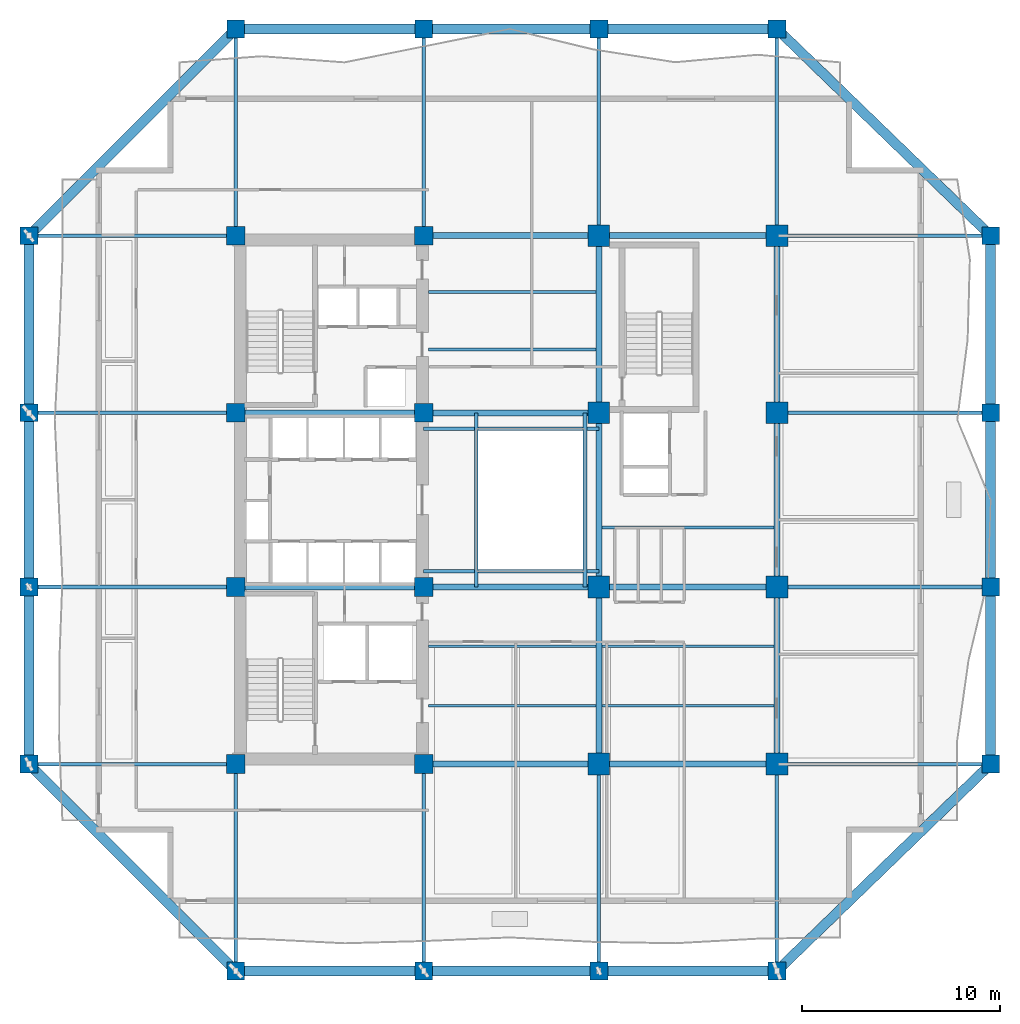
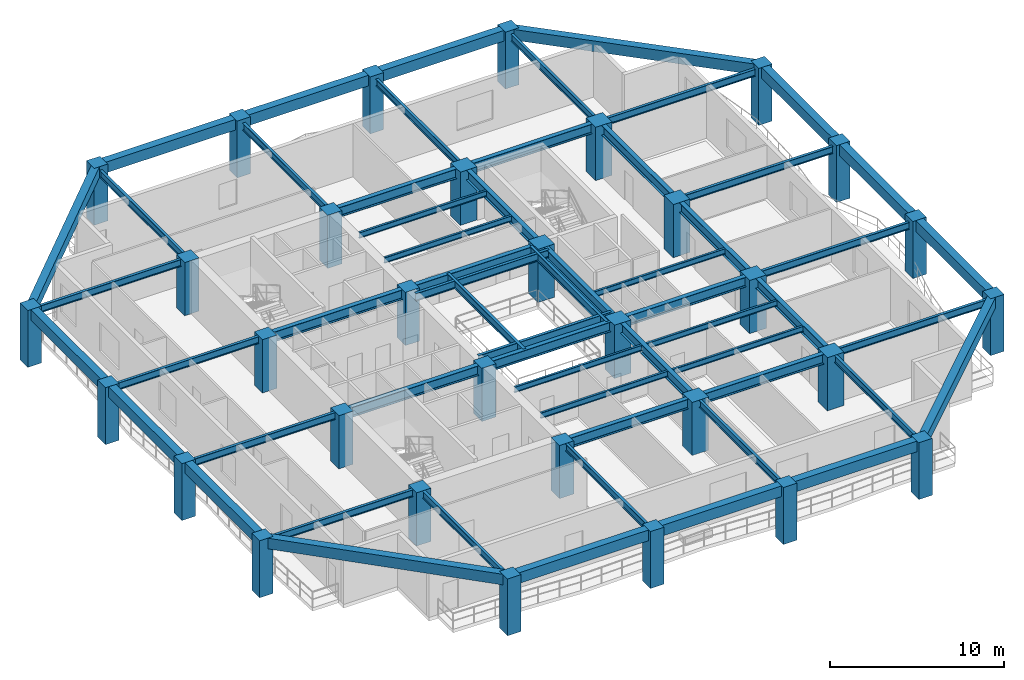
# One storey, part 1 of 11: 58 beams, 32 columns.
"""IFC4 building model written with IfcOpenShell, lengths in metres."""

from ifc_helpers import new_model, si_unit, direction, frame, origin, origin_2d, place, context, subcontext, project, spatial, rectangle, i_section, extrude, material, material_profile, profile_set, type_object, element, save


model = new_model("IFC4")

# Units and contexts
model_context = context("Model", 3, precision=1e-05, world=origin(), true_north=direction((0.0, 1.0)))
body_context = subcontext(model_context, "Body", "Model", "MODEL_VIEW")
ifc_project = project(units=[si_unit("LENGTHUNIT", "METRE"), si_unit("AREAUNIT", "SQUARE_METRE"), si_unit("VOLUMEUNIT", "CUBIC_METRE"), si_unit("PLANEANGLEUNIT", "RADIAN"), si_unit("MASSUNIT", "GRAM", prefix="KILO")], contexts=[model_context])

# Site, building, storey
site_placement = place(None, origin())
site = spatial("IfcSite", under=ifc_project, at=site_placement, CompositionType="ELEMENT")
building_placement = place(site_placement, origin())
building = spatial("IfcBuilding", under=site, at=building_placement, Name="Kundavana Baori Tower", CompositionType="ELEMENT")
storey_placement = place(building_placement, frame((0.0, 0.0, 86.0)))
storey = spatial("IfcBuildingStorey", under=building, at=storey_placement, Name="L20", CompositionType="ELEMENT", Elevation=86.0)

# Columns
ifc_material_1 = material(Name="Concrete C60/75", Category="concrete")
ifc_material_profile_1 = material_profile(ifc_material_1, rectangle(XDim=0.89990234375, YDim=0.89990234375, at=origin_2d()), Name="RC PF 900x900")
ifc_profile_set_1 = profile_set([ifc_material_profile_1], Name="Concrete C60/75")
column_type_1 = type_object("IfcColumnType", Name="COL-PF-900", PredefinedType="COLUMN", material=ifc_profile_set_1)
for number, where, z_axis, x_axis, name in (
    (1, (15.449951171875, 4.800048828125, 0.0), (0.0, 0.0, 1.0), (1.0, 0.0, 0.0), "L20 Stone-Clad Perimeter Frame Column PF-S1"),
    (2, (15.449951171875, 52.39990234375, 0.0), (0.0, 0.0, 1.0), (1.0, 0.0, 0.0), "L20 Stone-Clad Perimeter Frame Column PF-N1"),
    (3, (24.949951171875, 4.800048828125, 0.0), (0.0, 0.0, 1.0), (1.0, 0.0, 0.0), "L20 Stone-Clad Perimeter Frame Column PF-S2"),
    (4, (24.949951171875, 52.39990234375, 0.0), (0.0, 0.0, 1.0), (1.0, 0.0, 0.0), "L20 Stone-Clad Perimeter Frame Column PF-N2"),
    (5, (33.800048828125, 4.800048828125, 0.0), (0.0, 0.0, 1.0), (1.0, 0.0, 0.0), "L20 Stone-Clad Perimeter Frame Column PF-S3"),
    (6, (33.800048828125, 52.39990234375, 0.0), (0.0, 0.0, 1.0), (1.0, 0.0, 0.0), "L20 Stone-Clad Perimeter Frame Column PF-N3"),
    (7, (42.800048828125, 4.800048828125, 0.0), (0.0, 0.0, 1.0), (1.0, 0.0, 0.0), "L20 Stone-Clad Perimeter Frame Column PF-S4"),
    (8, (42.800048828125, 52.39990234375, 0.0), (0.0, 0.0, 1.0), (1.0, 0.0, 0.0), "L20 Stone-Clad Perimeter Frame Column PF-N4"),
    (9, (5.0, 15.25, 0.0), (0.0, 0.0, 1.0), (1.0, 0.0, 0.0), "L20 Stone-Clad Perimeter Frame Column PF-W1"),
    (10, (53.60009765625, 15.25, 0.0), (0.0, 0.0, 1.0), (1.0, 0.0, 0.0), "L20 Stone-Clad Perimeter Frame Column PF-E1"),
    (11, (5.0, 24.199951171875, 0.0), (0.0, 0.0, 1.0), (1.0, 0.0, 0.0), "L20 Stone-Clad Perimeter Frame Column PF-W2"),
    (12, (53.60009765625, 24.199951171875, 0.0), (0.0, 0.0, 1.0), (1.0, 0.0, 0.0), "L20 Stone-Clad Perimeter Frame Column PF-E2"),
    (13, (5.0, 33.0, 0.0), (0.0, 0.0, 1.0), (1.0, 0.0, 0.0), "L20 Stone-Clad Perimeter Frame Column PF-W3"),
    (14, (53.60009765625, 33.0, 0.0), (0.0, 0.0, 1.0), (1.0, 0.0, 0.0), "L20 Stone-Clad Perimeter Frame Column PF-E3"),
    (15, (5.0, 41.949951171875, 0.0), (0.0, 0.0, 1.0), (1.0, 0.0, 0.0), "L20 Stone-Clad Perimeter Frame Column PF-W4"),
    (16, (53.60009765625, 41.949951171875, 0.0), (0.0, 0.0, 1.0), (1.0, 0.0, 0.0), "L20 Stone-Clad Perimeter Frame Column PF-E4"),
):
    element("IfcColumn", number, at=place(storey_placement, frame(where, z_axis=z_axis, x_axis=x_axis)), inside=storey, type_object=column_type_1, Name=name, PredefinedType="COLUMN", context=body_context, shape_type="SweptSolid", body=[
        extrude(rectangle(XDim=0.89990234375, YDim=0.89990234375, at=origin_2d()), origin(), (0.0, 0.0, 1.0), 4.0),
    ])
ifc_material_2 = material(Name="Concrete C60/75", Category="concrete")
ifc_material_profile_2 = material_profile(ifc_material_2, rectangle(XDim=1.10009765625, YDim=1.10009765625, at=origin_2d()), Name="RC 1100x1100")
ifc_profile_set_2 = profile_set([ifc_material_profile_2], Name="Concrete C60/75")
column_type_2 = type_object("IfcColumnType", Name="COL-RC-1100", PredefinedType="COLUMN", material=ifc_profile_set_2)
for number, where, z_axis, x_axis, name in (
    (17, (33.800048828125, 15.25, 0.0), (0.0, 0.0, 1.0), (1.0, 0.0, 0.0), "L20 Interior Column IC-5C"),
    (18, (33.800048828125, 24.199951171875, 0.0), (0.0, 0.0, 1.0), (1.0, 0.0, 0.0), "L20 Interior Column IC-5D"),
    (19, (33.800048828125, 33.0, 0.0), (0.0, 0.0, 1.0), (1.0, 0.0, 0.0), "L20 Interior Column IC-5E"),
    (20, (33.800048828125, 41.949951171875, 0.0), (0.0, 0.0, 1.0), (1.0, 0.0, 0.0), "L20 Interior Column IC-5F"),
    (21, (42.800048828125, 15.25, 0.0), (0.0, 0.0, 1.0), (1.0, 0.0, 0.0), "L20 Interior Column IC-6C"),
    (22, (42.800048828125, 24.199951171875, 0.0), (0.0, 0.0, 1.0), (1.0, 0.0, 0.0), "L20 Interior Column IC-6D"),
    (23, (42.800048828125, 33.0, 0.0), (0.0, 0.0, 1.0), (1.0, 0.0, 0.0), "L20 Interior Column IC-6E"),
    (24, (42.800048828125, 41.949951171875, 0.0), (0.0, 0.0, 1.0), (1.0, 0.0, 0.0), "L20 Interior Column IC-6F"),
):
    element("IfcColumn", number, at=place(storey_placement, frame(where, z_axis=z_axis, x_axis=x_axis)), inside=storey, type_object=column_type_2, Name=name, PredefinedType="COLUMN", context=body_context, shape_type="SweptSolid", body=[
        extrude(rectangle(XDim=1.10009765625, YDim=1.10009765625, at=origin_2d()), origin(), (0.0, 0.0, 1.0), 3.739990234375),
    ])
ifc_material_3 = material(Name="Concrete C50/60", Category="concrete")
ifc_material_profile_3 = material_profile(ifc_material_3, rectangle(XDim=0.949951171875, YDim=0.949951171875, at=origin_2d()), Name="RC 950x950")
ifc_profile_set_3 = profile_set([ifc_material_profile_3], Name="Concrete C50/60")
column_type_3 = type_object("IfcColumnType", Name="COL-RC-950", PredefinedType="COLUMN", material=ifc_profile_set_3)
for number, where, z_axis, x_axis, name in (
    (25, (15.449951171875, 15.25, 0.0), (0.0, 0.0, 1.0), (1.0, 0.0, 0.0), "L20 Interior Column IC-3C"),
    (26, (15.449951171875, 24.199951171875, 0.0), (0.0, 0.0, 1.0), (1.0, 0.0, 0.0), "L20 Interior Column IC-3D"),
    (27, (15.449951171875, 33.0, 0.0), (0.0, 0.0, 1.0), (1.0, 0.0, 0.0), "L20 Interior Column IC-3E"),
    (28, (15.449951171875, 41.949951171875, 0.0), (0.0, 0.0, 1.0), (1.0, 0.0, 0.0), "L20 Interior Column IC-3F"),
    (29, (24.949951171875, 15.25, 0.0), (0.0, 0.0, 1.0), (1.0, 0.0, 0.0), "L20 Interior Column IC-4C"),
    (30, (24.949951171875, 24.199951171875, 0.0), (0.0, 0.0, 1.0), (1.0, 0.0, 0.0), "L20 Interior Column IC-4D"),
    (31, (24.949951171875, 33.0, 0.0), (0.0, 0.0, 1.0), (1.0, 0.0, 0.0), "L20 Interior Column IC-4E"),
    (32, (24.949951171875, 41.949951171875, 0.0), (0.0, 0.0, 1.0), (1.0, 0.0, 0.0), "L20 Interior Column IC-4F"),
):
    element("IfcColumn", number, at=place(storey_placement, frame(where, z_axis=z_axis, x_axis=x_axis)), inside=storey, type_object=column_type_3, Name=name, PredefinedType="COLUMN", context=body_context, shape_type="SweptSolid", body=[
        extrude(rectangle(XDim=0.949951171875, YDim=0.949951171875, at=origin_2d()), origin(), (0.0, 0.0, 1.0), 3.739990234375),
    ])

# Beams
ifc_material_4 = material(Name="Structural Steel S355JR", Category="steel")
ifc_material_profile_4 = material_profile(ifc_material_4, i_section(OverallWidth=0.139892578125, OverallDepth=0.39990234375, WebThickness=0.0087890625, FlangeThickness=0.01611328125, FilletRadius=0.013916015625, at=origin_2d()), Name="ISMB 400")
ifc_profile_set_4 = profile_set([ifc_material_profile_4], Name="Structural Steel S355JR")
beam_type_1 = type_object("IfcBeamType", Name="BM-JST-400", PredefinedType="JOIST", material=ifc_profile_set_4)
for number, where, z_axis, x_axis, name in (
    (33, (25.179931640625, 18.199951171875, 3.5400390625), (1.0, 0.0, 0.0), (0.0, 1.0, 0.0), "L20 Central Bay Composite Floor Joist C1"),
    (34, (25.179931640625, 21.199951171875, 3.5400390625), (1.0, 0.0, 0.0), (0.0, 1.0, 0.0), "L20 Central Bay Composite Floor Joist C2"),
    (35, (25.179931640625, 36.199951171875, 3.5400390625), (1.0, 0.0, 0.0), (0.0, 1.0, 0.0), "L20 Central Bay Composite Floor Joist C3"),
    (36, (25.179931640625, 39.10009765625, 3.5400390625), (1.0, 0.0, 0.0), (0.0, 1.0, 0.0), "L20 Central Bay Composite Floor Joist C4"),
):
    element("IfcBeam", number, at=place(storey_placement, frame(where, z_axis=z_axis, x_axis=x_axis)), inside=storey, type_object=beam_type_1, Name=name, PredefinedType="JOIST", context=body_context, shape_type="SweptSolid", body=[
        extrude(i_section(OverallWidth=0.139892578125, OverallDepth=0.39990234375, WebThickness=0.0087890625, FlangeThickness=0.01611328125, FilletRadius=0.013916015625, at=origin_2d()), origin(), (0.0, 0.0, 1.0), 8.469970703125),
    ])
for number, where, z_axis, x_axis, name in (
    (37, (33.949951171875, 18.199951171875, 3.5400390625), (1.0, 0.0, 0.0), (0.0, 1.0, 0.0), "L20 East Bay Composite Floor Joist E1"),
    (38, (33.949951171875, 21.199951171875, 3.5400390625), (1.0, 0.0, 0.0), (0.0, 1.0, 0.0), "L20 East Bay Composite Floor Joist E2"),
    (39, (33.949951171875, 27.199951171875, 3.5400390625), (1.0, 0.0, 0.0), (0.0, 1.0, 0.0), "L20 East Bay Composite Floor Joist E3"),
):
    element("IfcBeam", number, at=place(storey_placement, frame(where, z_axis=z_axis, x_axis=x_axis)), inside=storey, type_object=beam_type_1, Name=name, PredefinedType="JOIST", context=body_context, shape_type="SweptSolid", body=[
        extrude(i_section(OverallWidth=0.139892578125, OverallDepth=0.39990234375, WebThickness=0.0087890625, FlangeThickness=0.01611328125, FilletRadius=0.013916015625, at=origin_2d()), origin(), (0.0, 0.0, 1.0), 8.699951171875),
    ])
ifc_material_5 = material(Name="Concrete C50/60", Category="concrete")
ifc_material_profile_5 = material_profile(ifc_material_5, rectangle(XDim=0.5, YDim=0.75, at=origin_2d()), Name="RC BM 500x750")
ifc_profile_set_5 = profile_set([ifc_material_profile_5], Name="Concrete C50/60")
beam_type_2 = type_object("IfcBeamType", Name="BM-PF-750", PredefinedType="SPANDREL", material=ifc_profile_set_5)
beam_1_placement = place(storey_placement, frame((15.449951171875, 4.800048828125, 3.625), z_axis=(1.0, 0.0, 0.0), x_axis=(0.0, 1.0, 0.0)))
element("IfcBeam", 40, at=beam_1_placement, inside=storey, type_object=beam_type_2, Name="L20 Perimeter Frame Ring Beam S1", PredefinedType="SPANDREL", context=body_context, shape_type="SweptSolid", body=[
    extrude(rectangle(XDim=0.5, YDim=0.75, at=origin_2d()), origin(), (0.0, 0.0, 1.0), 9.5),
])
beam_2_placement = place(storey_placement, frame((24.949951171875, 4.800048828125, 3.625), z_axis=(1.0, 0.0, 0.0), x_axis=(0.0, 1.0, 0.0)))
element("IfcBeam", 41, at=beam_2_placement, inside=storey, type_object=beam_type_2, Name="L20 Perimeter Frame Ring Beam S2", PredefinedType="SPANDREL", context=body_context, shape_type="SweptSolid", body=[
    extrude(rectangle(XDim=0.5, YDim=0.75, at=origin_2d()), origin(), (0.0, 0.0, 1.0), 8.85009765625),
])
beam_3_placement = place(storey_placement, frame((33.800048828125, 4.800048828125, 3.625), z_axis=(1.0, 0.0, 0.0), x_axis=(0.0, 1.0, 0.0)))
element("IfcBeam", 42, at=beam_3_placement, inside=storey, type_object=beam_type_2, Name="L20 Perimeter Frame Ring Beam S3", PredefinedType="SPANDREL", context=body_context, shape_type="SweptSolid", body=[
    extrude(rectangle(XDim=0.5, YDim=0.75, at=origin_2d()), origin(), (0.0, 0.0, 1.0), 9.0),
])
beam_4_placement = place(storey_placement, frame((15.449951171875, 52.39990234375, 3.625), z_axis=(1.0, 0.0, 0.0), x_axis=(0.0, 1.0, 0.0)))
element("IfcBeam", 43, at=beam_4_placement, inside=storey, type_object=beam_type_2, Name="L20 Perimeter Frame Ring Beam N1", PredefinedType="SPANDREL", context=body_context, shape_type="SweptSolid", body=[
    extrude(rectangle(XDim=0.5, YDim=0.75, at=origin_2d()), origin(), (0.0, 0.0, 1.0), 9.5),
])
beam_5_placement = place(storey_placement, frame((24.949951171875, 52.39990234375, 3.625), z_axis=(1.0, 0.0, 0.0), x_axis=(0.0, 1.0, 0.0)))
element("IfcBeam", 44, at=beam_5_placement, inside=storey, type_object=beam_type_2, Name="L20 Perimeter Frame Ring Beam N2", PredefinedType="SPANDREL", context=body_context, shape_type="SweptSolid", body=[
    extrude(rectangle(XDim=0.5, YDim=0.75, at=origin_2d()), origin(), (0.0, 0.0, 1.0), 8.85009765625),
])
beam_6_placement = place(storey_placement, frame((33.800048828125, 52.39990234375, 3.625), z_axis=(1.0, 0.0, 0.0), x_axis=(0.0, 1.0, 0.0)))
element("IfcBeam", 45, at=beam_6_placement, inside=storey, type_object=beam_type_2, Name="L20 Perimeter Frame Ring Beam N3", PredefinedType="SPANDREL", context=body_context, shape_type="SweptSolid", body=[
    extrude(rectangle(XDim=0.5, YDim=0.75, at=origin_2d()), origin(), (0.0, 0.0, 1.0), 9.0),
])
beam_7_placement = place(storey_placement, frame((5.0, 15.25, 3.625), z_axis=(0.0, 1.0, 0.0), x_axis=(-1.0, 0.0, 0.0)))
element("IfcBeam", 46, at=beam_7_placement, inside=storey, type_object=beam_type_2, Name="L20 Perimeter Frame Ring Beam W1", PredefinedType="SPANDREL", context=body_context, shape_type="SweptSolid", body=[
    extrude(rectangle(XDim=0.5, YDim=0.75, at=origin_2d()), origin(), (0.0, 0.0, 1.0), 8.949951171875),
])
beam_8_placement = place(storey_placement, frame((5.0, 24.199951171875, 3.625), z_axis=(0.0, 1.0, 0.0), x_axis=(-1.0, 0.0, 0.0)))
element("IfcBeam", 47, at=beam_8_placement, inside=storey, type_object=beam_type_2, Name="L20 Perimeter Frame Ring Beam W2", PredefinedType="SPANDREL", context=body_context, shape_type="SweptSolid", body=[
    extrude(rectangle(XDim=0.5, YDim=0.75, at=origin_2d()), origin(), (0.0, 0.0, 1.0), 8.800048828125),
])
for number, where, z_axis, x_axis, name in (
    (48, (5.0, 33.0, 3.625), (0.0, 1.0, 0.0), (-1.0, 0.0, 0.0), "L20 Perimeter Frame Ring Beam W3"),
    (49, (53.60009765625, 15.25, 3.625), (0.0, 1.0, 0.0), (-1.0, 0.0, 0.0), "L20 Perimeter Frame Ring Beam E1"),
):
    element("IfcBeam", number, at=place(storey_placement, frame(where, z_axis=z_axis, x_axis=x_axis)), inside=storey, type_object=beam_type_2, Name=name, PredefinedType="SPANDREL", context=body_context, shape_type="SweptSolid", body=[
        extrude(rectangle(XDim=0.5, YDim=0.75, at=origin_2d()), origin(), (0.0, 0.0, 1.0), 8.949951171875),
    ])
beam_9_placement = place(storey_placement, frame((53.60009765625, 24.199951171875, 3.625), z_axis=(0.0, 1.0, 0.0), x_axis=(-1.0, 0.0, 0.0)))
element("IfcBeam", 50, at=beam_9_placement, inside=storey, type_object=beam_type_2, Name="L20 Perimeter Frame Ring Beam E2", PredefinedType="SPANDREL", context=body_context, shape_type="SweptSolid", body=[
    extrude(rectangle(XDim=0.5, YDim=0.75, at=origin_2d()), origin(), (0.0, 0.0, 1.0), 8.800048828125),
])
beam_10_placement = place(storey_placement, frame((53.60009765625, 33.0, 3.625), z_axis=(0.0, 1.0, 0.0), x_axis=(-1.0, 0.0, 0.0)))
element("IfcBeam", 51, at=beam_10_placement, inside=storey, type_object=beam_type_2, Name="L20 Perimeter Frame Ring Beam E3", PredefinedType="SPANDREL", context=body_context, shape_type="SweptSolid", body=[
    extrude(rectangle(XDim=0.5, YDim=0.75, at=origin_2d()), origin(), (0.0, 0.0, 1.0), 8.949951171875),
])
beam_11_placement = place(storey_placement, frame((15.449951171875, 4.800048828125, 3.625), z_axis=(-0.707106781187, 0.707106781187, 0.0), x_axis=(-0.707106781187, -0.707106781187, 0.0)))
element("IfcBeam", 52, at=beam_11_placement, inside=storey, type_object=beam_type_2, Name="L20 Notched Corner Perimeter Beam SW", PredefinedType="SPANDREL", context=body_context, shape_type="SweptSolid", body=[
    extrude(rectangle(XDim=0.5, YDim=0.75, at=origin_2d()), origin(), (0.0, 0.0, 1.0), 14.778564453125),
])
beam_12_placement = place(storey_placement, frame((42.800048828125, 4.800048828125, 3.625), z_axis=(0.718658968601, 0.695362701653, 0.0), x_axis=(-0.695362701653, 0.718658968601, 0.0)))
element("IfcBeam", 53, at=beam_12_placement, inside=storey, type_object=beam_type_2, Name="L20 Notched Corner Perimeter Beam SE", PredefinedType="SPANDREL", context=body_context, shape_type="SweptSolid", body=[
    extrude(rectangle(XDim=0.5, YDim=0.75, at=origin_2d()), origin(), (0.0, 0.0, 1.0), 15.028076171875),
])
beam_13_placement = place(storey_placement, frame((15.449951171875, 52.39990234375, 3.625), z_axis=(-0.707106781187, -0.707106781187, 0.0), x_axis=(0.707106781187, -0.707106781187, 0.0)))
element("IfcBeam", 54, at=beam_13_placement, inside=storey, type_object=beam_type_2, Name="L20 Notched Corner Perimeter Beam NW", PredefinedType="SPANDREL", context=body_context, shape_type="SweptSolid", body=[
    extrude(rectangle(XDim=0.5, YDim=0.75, at=origin_2d()), origin(), (0.0, 0.0, 1.0), 14.778564453125),
])
beam_14_placement = place(storey_placement, frame((42.800048828125, 52.39990234375, 3.625), z_axis=(0.718658968601, -0.695362701653, 0.0), x_axis=(0.695362701653, 0.718658968601, 0.0)))
element("IfcBeam", 55, at=beam_14_placement, inside=storey, type_object=beam_type_2, Name="L20 Notched Corner Perimeter Beam NE", PredefinedType="SPANDREL", context=body_context, shape_type="SweptSolid", body=[
    extrude(rectangle(XDim=0.5, YDim=0.75, at=origin_2d()), origin(), (0.0, 0.0, 1.0), 15.028076171875),
])
ifc_material_6 = material(Name="Structural Steel S355JR", Category="steel")
ifc_material_profile_6 = material_profile(ifc_material_6, i_section(OverallWidth=0.18994140625, OverallDepth=0.550048828125, WebThickness=0.01123046875, FlangeThickness=0.019287109375, FilletRadius=0.01806640625, at=origin_2d()), Name="ISMB 550")
ifc_profile_set_6 = profile_set([ifc_material_profile_6], Name="Structural Steel S355JR")
beam_type_3 = type_object("IfcBeamType", Name="BM-ST-550", PredefinedType="BEAM", material=ifc_profile_set_6)
for number, where, z_axis, x_axis, name in (
    (56, (27.60009765625, 24.199951171875, 3.465087890625), (0.0, 1.0, 0.0), (-1.0, 0.0, 0.0), "L20 Atrium West Edge Beam"),
    (57, (33.10009765625, 24.199951171875, 3.465087890625), (0.0, 1.0, 0.0), (-1.0, 0.0, 0.0), "L20 Atrium East Edge Beam"),
):
    element("IfcBeam", number, at=place(storey_placement, frame(where, z_axis=z_axis, x_axis=x_axis)), inside=storey, type_object=beam_type_3, Name=name, PredefinedType="BEAM", context=body_context, shape_type="SweptSolid", body=[
        extrude(i_section(OverallWidth=0.18994140625, OverallDepth=0.550048828125, WebThickness=0.01123046875, FlangeThickness=0.019287109375, FilletRadius=0.01806640625, at=origin_2d()), origin(), (0.0, 0.0, 1.0), 8.800048828125),
    ])
for number, where, z_axis, x_axis, name in (
    (58, (24.949951171875, 25.0, 3.465087890625), (1.0, 0.0, 0.0), (0.0, 1.0, 0.0), "L20 Atrium South Edge Beam"),
    (59, (24.949951171875, 32.199951171875, 3.465087890625), (1.0, 0.0, 0.0), (0.0, 1.0, 0.0), "L20 Atrium North Edge Beam"),
):
    element("IfcBeam", number, at=place(storey_placement, frame(where, z_axis=z_axis, x_axis=x_axis)), inside=storey, type_object=beam_type_3, Name=name, PredefinedType="BEAM", context=body_context, shape_type="SweptSolid", body=[
        extrude(i_section(OverallWidth=0.18994140625, OverallDepth=0.550048828125, WebThickness=0.01123046875, FlangeThickness=0.019287109375, FilletRadius=0.01806640625, at=origin_2d()), origin(), (0.0, 0.0, 1.0), 8.85009765625),
    ])
ifc_material_7 = material(Name="Structural Steel S355JR", Category="steel")
ifc_material_profile_7 = material_profile(ifc_material_7, i_section(OverallWidth=0.300048828125, OverallDepth=0.699951171875, WebThickness=0.014404296875, FlangeThickness=0.02392578125, FilletRadius=0.02392578125, at=origin_2d()), Name="NPB 700x300x170")
ifc_profile_set_7 = profile_set([ifc_material_profile_7], Name="Structural Steel S355JR")
beam_type_4 = type_object("IfcBeamType", Name="BM-ST-700", PredefinedType="BEAM", material=ifc_profile_set_7)
beam_15_placement = place(storey_placement, frame((24.949951171875, 15.25, 3.389892578125), z_axis=(1.0, 0.0, 0.0), x_axis=(0.0, 1.0, 0.0)))
element("IfcBeam", 60, at=beam_15_placement, inside=storey, type_object=beam_type_4, Name="L20 Primary Grid Girder GX-1-2", PredefinedType="BEAM", context=body_context, shape_type="SweptSolid", body=[
    extrude(i_section(OverallWidth=0.300048828125, OverallDepth=0.699951171875, WebThickness=0.014404296875, FlangeThickness=0.02392578125, FilletRadius=0.02392578125, at=origin_2d()), origin(), (0.0, 0.0, 1.0), 8.85009765625),
])
beam_16_placement = place(storey_placement, frame((33.800048828125, 15.25, 3.389892578125), z_axis=(1.0, 0.0, 0.0), x_axis=(0.0, 1.0, 0.0)))
element("IfcBeam", 61, at=beam_16_placement, inside=storey, type_object=beam_type_4, Name="L20 Primary Grid Girder GX-1-3", PredefinedType="BEAM", context=body_context, shape_type="SweptSolid", body=[
    extrude(i_section(OverallWidth=0.300048828125, OverallDepth=0.699951171875, WebThickness=0.014404296875, FlangeThickness=0.02392578125, FilletRadius=0.02392578125, at=origin_2d()), origin(), (0.0, 0.0, 1.0), 9.0),
])
beam_17_placement = place(storey_placement, frame((15.449951171875, 24.199951171875, 3.389892578125), z_axis=(1.0, 0.0, 0.0), x_axis=(0.0, 1.0, 0.0)))
element("IfcBeam", 62, at=beam_17_placement, inside=storey, type_object=beam_type_4, Name="L20 Primary Grid Girder GX-2-1", PredefinedType="BEAM", context=body_context, shape_type="SweptSolid", body=[
    extrude(i_section(OverallWidth=0.300048828125, OverallDepth=0.699951171875, WebThickness=0.014404296875, FlangeThickness=0.02392578125, FilletRadius=0.02392578125, at=origin_2d()), origin(), (0.0, 0.0, 1.0), 9.5),
])
beam_18_placement = place(storey_placement, frame((24.949951171875, 24.199951171875, 3.389892578125), z_axis=(1.0, 0.0, 0.0), x_axis=(0.0, 1.0, 0.0)))
element("IfcBeam", 63, at=beam_18_placement, inside=storey, type_object=beam_type_4, Name="L20 Primary Grid Girder GX-2-2", PredefinedType="BEAM", context=body_context, shape_type="SweptSolid", body=[
    extrude(i_section(OverallWidth=0.300048828125, OverallDepth=0.699951171875, WebThickness=0.014404296875, FlangeThickness=0.02392578125, FilletRadius=0.02392578125, at=origin_2d()), origin(), (0.0, 0.0, 1.0), 8.85009765625),
])
beam_19_placement = place(storey_placement, frame((33.800048828125, 24.199951171875, 3.389892578125), z_axis=(1.0, 0.0, 0.0), x_axis=(0.0, 1.0, 0.0)))
element("IfcBeam", 64, at=beam_19_placement, inside=storey, type_object=beam_type_4, Name="L20 Primary Grid Girder GX-2-3", PredefinedType="BEAM", context=body_context, shape_type="SweptSolid", body=[
    extrude(i_section(OverallWidth=0.300048828125, OverallDepth=0.699951171875, WebThickness=0.014404296875, FlangeThickness=0.02392578125, FilletRadius=0.02392578125, at=origin_2d()), origin(), (0.0, 0.0, 1.0), 9.0),
])
beam_20_placement = place(storey_placement, frame((15.449951171875, 33.0, 3.389892578125), z_axis=(1.0, 0.0, 0.0), x_axis=(0.0, 1.0, 0.0)))
element("IfcBeam", 65, at=beam_20_placement, inside=storey, type_object=beam_type_4, Name="L20 Primary Grid Girder GX-3-1", PredefinedType="BEAM", context=body_context, shape_type="SweptSolid", body=[
    extrude(i_section(OverallWidth=0.300048828125, OverallDepth=0.699951171875, WebThickness=0.014404296875, FlangeThickness=0.02392578125, FilletRadius=0.02392578125, at=origin_2d()), origin(), (0.0, 0.0, 1.0), 9.5),
])
for number, where, z_axis, x_axis, name in (
    (66, (24.949951171875, 33.0, 3.389892578125), (1.0, 0.0, 0.0), (0.0, 1.0, 0.0), "L20 Primary Grid Girder GX-3-2"),
    (67, (24.949951171875, 41.949951171875, 3.389892578125), (1.0, 0.0, 0.0), (0.0, 1.0, 0.0), "L20 Primary Grid Girder GX-4-2"),
):
    element("IfcBeam", number, at=place(storey_placement, frame(where, z_axis=z_axis, x_axis=x_axis)), inside=storey, type_object=beam_type_4, Name=name, PredefinedType="BEAM", context=body_context, shape_type="SweptSolid", body=[
        extrude(i_section(OverallWidth=0.300048828125, OverallDepth=0.699951171875, WebThickness=0.014404296875, FlangeThickness=0.02392578125, FilletRadius=0.02392578125, at=origin_2d()), origin(), (0.0, 0.0, 1.0), 8.85009765625),
    ])
beam_21_placement = place(storey_placement, frame((33.800048828125, 41.949951171875, 3.389892578125), z_axis=(1.0, 0.0, 0.0), x_axis=(0.0, 1.0, 0.0)))
element("IfcBeam", 68, at=beam_21_placement, inside=storey, type_object=beam_type_4, Name="L20 Primary Grid Girder GX-4-3", PredefinedType="BEAM", context=body_context, shape_type="SweptSolid", body=[
    extrude(i_section(OverallWidth=0.300048828125, OverallDepth=0.699951171875, WebThickness=0.014404296875, FlangeThickness=0.02392578125, FilletRadius=0.02392578125, at=origin_2d()), origin(), (0.0, 0.0, 1.0), 9.0),
])
beam_22_placement = place(storey_placement, frame((33.800048828125, 15.25, 3.389892578125), z_axis=(0.0, 1.0, 0.0), x_axis=(-1.0, 0.0, 0.0)))
element("IfcBeam", 69, at=beam_22_placement, inside=storey, type_object=beam_type_4, Name="L20 Primary Grid Girder GY-3-1", PredefinedType="BEAM", context=body_context, shape_type="SweptSolid", body=[
    extrude(i_section(OverallWidth=0.300048828125, OverallDepth=0.699951171875, WebThickness=0.014404296875, FlangeThickness=0.02392578125, FilletRadius=0.02392578125, at=origin_2d()), origin(), (0.0, 0.0, 1.0), 8.949951171875),
])
beam_23_placement = place(storey_placement, frame((33.800048828125, 24.199951171875, 3.389892578125), z_axis=(0.0, 1.0, 0.0), x_axis=(-1.0, 0.0, 0.0)))
element("IfcBeam", 70, at=beam_23_placement, inside=storey, type_object=beam_type_4, Name="L20 Primary Grid Girder GY-3-2", PredefinedType="BEAM", context=body_context, shape_type="SweptSolid", body=[
    extrude(i_section(OverallWidth=0.300048828125, OverallDepth=0.699951171875, WebThickness=0.014404296875, FlangeThickness=0.02392578125, FilletRadius=0.02392578125, at=origin_2d()), origin(), (0.0, 0.0, 1.0), 8.800048828125),
])
for number, where, z_axis, x_axis, name in (
    (71, (33.800048828125, 33.0, 3.389892578125), (0.0, 1.0, 0.0), (-1.0, 0.0, 0.0), "L20 Primary Grid Girder GY-3-3"),
    (72, (42.800048828125, 15.25, 3.389892578125), (0.0, 1.0, 0.0), (-1.0, 0.0, 0.0), "L20 Primary Grid Girder GY-4-1"),
):
    element("IfcBeam", number, at=place(storey_placement, frame(where, z_axis=z_axis, x_axis=x_axis)), inside=storey, type_object=beam_type_4, Name=name, PredefinedType="BEAM", context=body_context, shape_type="SweptSolid", body=[
        extrude(i_section(OverallWidth=0.300048828125, OverallDepth=0.699951171875, WebThickness=0.014404296875, FlangeThickness=0.02392578125, FilletRadius=0.02392578125, at=origin_2d()), origin(), (0.0, 0.0, 1.0), 8.949951171875),
    ])
beam_24_placement = place(storey_placement, frame((42.800048828125, 24.199951171875, 3.389892578125), z_axis=(0.0, 1.0, 0.0), x_axis=(-1.0, 0.0, 0.0)))
element("IfcBeam", 73, at=beam_24_placement, inside=storey, type_object=beam_type_4, Name="L20 Primary Grid Girder GY-4-2", PredefinedType="BEAM", context=body_context, shape_type="SweptSolid", body=[
    extrude(i_section(OverallWidth=0.300048828125, OverallDepth=0.699951171875, WebThickness=0.014404296875, FlangeThickness=0.02392578125, FilletRadius=0.02392578125, at=origin_2d()), origin(), (0.0, 0.0, 1.0), 8.800048828125),
])
beam_25_placement = place(storey_placement, frame((42.800048828125, 33.0, 3.389892578125), z_axis=(0.0, 1.0, 0.0), x_axis=(-1.0, 0.0, 0.0)))
element("IfcBeam", 74, at=beam_25_placement, inside=storey, type_object=beam_type_4, Name="L20 Primary Grid Girder GY-4-3", PredefinedType="BEAM", context=body_context, shape_type="SweptSolid", body=[
    extrude(i_section(OverallWidth=0.300048828125, OverallDepth=0.699951171875, WebThickness=0.014404296875, FlangeThickness=0.02392578125, FilletRadius=0.02392578125, at=origin_2d()), origin(), (0.0, 0.0, 1.0), 8.949951171875),
])
ifc_material_8 = material(Name="Structural Steel S355JR", Category="steel")
ifc_material_profile_8 = material_profile(ifc_material_8, i_section(OverallWidth=0.179931640625, OverallDepth=0.5, WebThickness=0.01025390625, FlangeThickness=0.01708984375, FilletRadius=0.01708984375, at=origin_2d()), Name="ISMB 500")
ifc_profile_set_8 = profile_set([ifc_material_profile_8], Name="Structural Steel S355JR")
beam_type_5 = type_object("IfcBeamType", Name="BM-TIE-500", PredefinedType="BEAM", material=ifc_profile_set_8)
for number, where, z_axis, x_axis, name in (
    (75, (15.449951171875, 15.25, 3.489990234375), (0.0, -1.0, 0.0), (1.0, 0.0, 0.0), "L20 South Radial Loggia Tie Beam S1"),
    (76, (15.449951171875, 41.949951171875, 3.489990234375), (0.0, 1.0, 0.0), (-1.0, 0.0, 0.0), "L20 North Radial Loggia Tie Beam N1"),
    (77, (24.949951171875, 15.25, 3.489990234375), (0.0, -1.0, 0.0), (1.0, 0.0, 0.0), "L20 South Radial Loggia Tie Beam S2"),
    (78, (24.949951171875, 41.949951171875, 3.489990234375), (0.0, 1.0, 0.0), (-1.0, 0.0, 0.0), "L20 North Radial Loggia Tie Beam N2"),
    (79, (33.800048828125, 15.25, 3.489990234375), (0.0, -1.0, 0.0), (1.0, 0.0, 0.0), "L20 South Radial Loggia Tie Beam S3"),
    (80, (33.800048828125, 41.949951171875, 3.489990234375), (0.0, 1.0, 0.0), (-1.0, 0.0, 0.0), "L20 North Radial Loggia Tie Beam N3"),
    (81, (42.800048828125, 15.25, 3.489990234375), (0.0, -1.0, 0.0), (1.0, 0.0, 0.0), "L20 South Radial Loggia Tie Beam S4"),
    (82, (42.800048828125, 41.949951171875, 3.489990234375), (0.0, 1.0, 0.0), (-1.0, 0.0, 0.0), "L20 North Radial Loggia Tie Beam N4"),
    (83, (15.449951171875, 15.25, 3.489990234375), (-1.0, 0.0, 0.0), (0.0, -1.0, 0.0), "L20 West Radial Loggia Tie Beam W1"),
):
    element("IfcBeam", number, at=place(storey_placement, frame(where, z_axis=z_axis, x_axis=x_axis)), inside=storey, type_object=beam_type_5, Name=name, PredefinedType="BEAM", context=body_context, shape_type="SweptSolid", body=[
        extrude(i_section(OverallWidth=0.179931640625, OverallDepth=0.5, WebThickness=0.01025390625, FlangeThickness=0.01708984375, FilletRadius=0.01708984375, at=origin_2d()), origin(), (0.0, 0.0, 1.0), 10.449951171875),
    ])
beam_26_placement = place(storey_placement, frame((42.800048828125, 15.25, 3.489990234375), z_axis=(1.0, 0.0, 0.0), x_axis=(0.0, 1.0, 0.0)))
element("IfcBeam", 84, at=beam_26_placement, inside=storey, type_object=beam_type_5, Name="L20 East Radial Loggia Tie Beam E1", PredefinedType="BEAM", context=body_context, shape_type="SweptSolid", body=[
    extrude(i_section(OverallWidth=0.179931640625, OverallDepth=0.5, WebThickness=0.01025390625, FlangeThickness=0.01708984375, FilletRadius=0.01708984375, at=origin_2d()), origin(), (0.0, 0.0, 1.0), 10.800048828125),
])
beam_27_placement = place(storey_placement, frame((15.449951171875, 24.199951171875, 3.489990234375), z_axis=(-1.0, 0.0, 0.0), x_axis=(0.0, -1.0, 0.0)))
element("IfcBeam", 85, at=beam_27_placement, inside=storey, type_object=beam_type_5, Name="L20 West Radial Loggia Tie Beam W2", PredefinedType="BEAM", context=body_context, shape_type="SweptSolid", body=[
    extrude(i_section(OverallWidth=0.179931640625, OverallDepth=0.5, WebThickness=0.01025390625, FlangeThickness=0.01708984375, FilletRadius=0.01708984375, at=origin_2d()), origin(), (0.0, 0.0, 1.0), 10.449951171875),
])
beam_28_placement = place(storey_placement, frame((42.800048828125, 24.199951171875, 3.489990234375), z_axis=(1.0, 0.0, 0.0), x_axis=(0.0, 1.0, 0.0)))
element("IfcBeam", 86, at=beam_28_placement, inside=storey, type_object=beam_type_5, Name="L20 East Radial Loggia Tie Beam E2", PredefinedType="BEAM", context=body_context, shape_type="SweptSolid", body=[
    extrude(i_section(OverallWidth=0.179931640625, OverallDepth=0.5, WebThickness=0.01025390625, FlangeThickness=0.01708984375, FilletRadius=0.01708984375, at=origin_2d()), origin(), (0.0, 0.0, 1.0), 10.800048828125),
])
beam_29_placement = place(storey_placement, frame((15.449951171875, 33.0, 3.489990234375), z_axis=(-1.0, 0.0, 0.0), x_axis=(0.0, -1.0, 0.0)))
element("IfcBeam", 87, at=beam_29_placement, inside=storey, type_object=beam_type_5, Name="L20 West Radial Loggia Tie Beam W3", PredefinedType="BEAM", context=body_context, shape_type="SweptSolid", body=[
    extrude(i_section(OverallWidth=0.179931640625, OverallDepth=0.5, WebThickness=0.01025390625, FlangeThickness=0.01708984375, FilletRadius=0.01708984375, at=origin_2d()), origin(), (0.0, 0.0, 1.0), 10.449951171875),
])
beam_30_placement = place(storey_placement, frame((42.800048828125, 33.0, 3.489990234375), z_axis=(1.0, 0.0, 0.0), x_axis=(0.0, 1.0, 0.0)))
element("IfcBeam", 88, at=beam_30_placement, inside=storey, type_object=beam_type_5, Name="L20 East Radial Loggia Tie Beam E3", PredefinedType="BEAM", context=body_context, shape_type="SweptSolid", body=[
    extrude(i_section(OverallWidth=0.179931640625, OverallDepth=0.5, WebThickness=0.01025390625, FlangeThickness=0.01708984375, FilletRadius=0.01708984375, at=origin_2d()), origin(), (0.0, 0.0, 1.0), 10.800048828125),
])
beam_31_placement = place(storey_placement, frame((15.449951171875, 41.949951171875, 3.489990234375), z_axis=(-1.0, 0.0, 0.0), x_axis=(0.0, -1.0, 0.0)))
element("IfcBeam", 89, at=beam_31_placement, inside=storey, type_object=beam_type_5, Name="L20 West Radial Loggia Tie Beam W4", PredefinedType="BEAM", context=body_context, shape_type="SweptSolid", body=[
    extrude(i_section(OverallWidth=0.179931640625, OverallDepth=0.5, WebThickness=0.01025390625, FlangeThickness=0.01708984375, FilletRadius=0.01708984375, at=origin_2d()), origin(), (0.0, 0.0, 1.0), 10.449951171875),
])
beam_32_placement = place(storey_placement, frame((42.800048828125, 41.949951171875, 3.489990234375), z_axis=(1.0, 0.0, 0.0), x_axis=(0.0, 1.0, 0.0)))
element("IfcBeam", 90, at=beam_32_placement, inside=storey, type_object=beam_type_5, Name="L20 East Radial Loggia Tie Beam E4", PredefinedType="BEAM", context=body_context, shape_type="SweptSolid", body=[
    extrude(i_section(OverallWidth=0.179931640625, OverallDepth=0.5, WebThickness=0.01025390625, FlangeThickness=0.01708984375, FilletRadius=0.01708984375, at=origin_2d()), origin(), (0.0, 0.0, 1.0), 10.800048828125),
])

save(model, "model.ifc")
